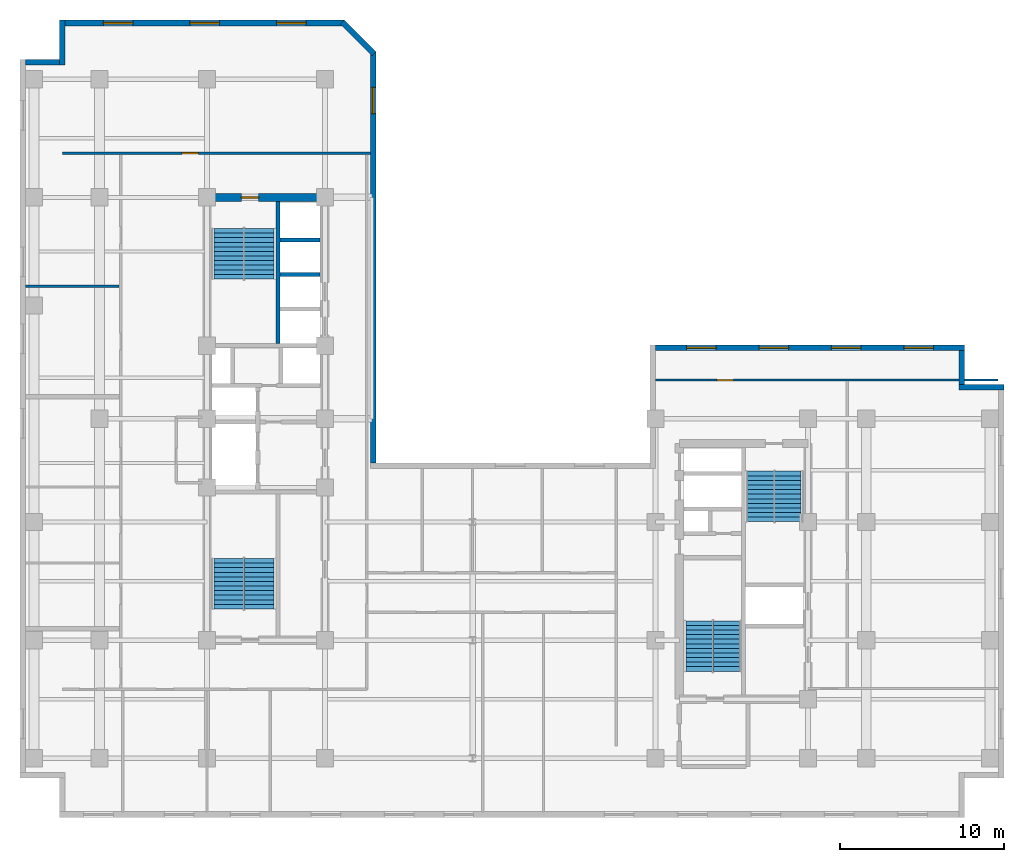
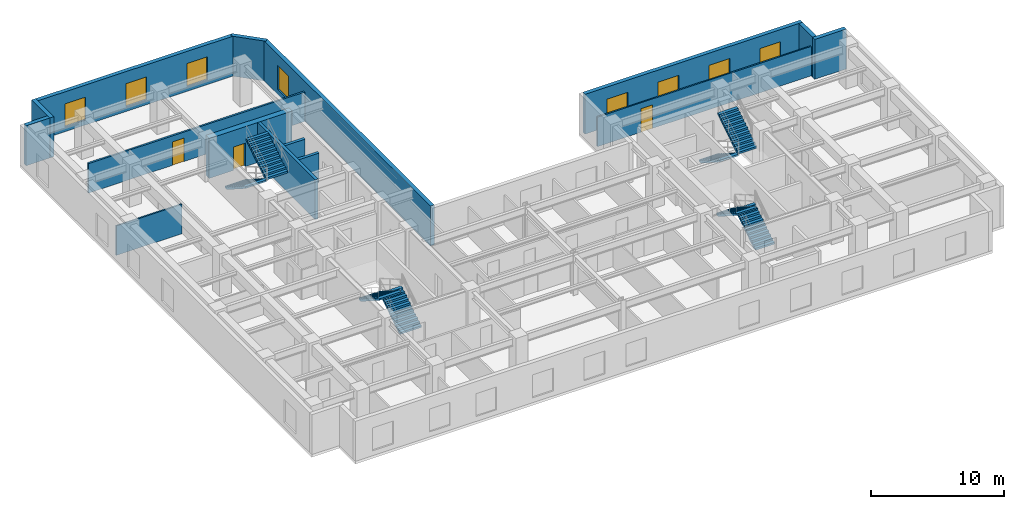
# One storey, part 6 of 9: 15 walls, 8 stair flights, 8 windows, 3 doors, 11 openings, 4 elements without a shape of their own.
"""IFC4 building model written with IfcOpenShell, lengths in metres."""

from ifc_helpers import new_model, entity, si_unit, converted_unit, direction, frame, origin_with_axes, origin_2d_with_axis, place, context, subcontext, project, spatial, polyline, rectangle, outline, extrude, material, layer, layer_set, type_object, element, fill, aggregate, save


model = new_model("IFC4")

# Units and contexts
model_context = context("Model", 3, precision=1e-05, world=origin_with_axes(), true_north=direction((0.0, 1.0)))
body_context = subcontext(model_context, "Body", "Model", "MODEL_VIEW")
ifc_project = project(units=[si_unit("LENGTHUNIT", "METRE"), si_unit("AREAUNIT", "SQUARE_METRE"), si_unit("VOLUMEUNIT", "CUBIC_METRE"), converted_unit("PLANEANGLEUNIT", "DEGREE", entity("IfcPlaneAngleMeasure", 0.017453292519943295), si_unit("PLANEANGLEUNIT", "RADIAN"), dimensions=[0, 0, 0, 0, 0, 0, 0]), si_unit("MASSUNIT", "GRAM", prefix="KILO"), si_unit("THERMODYNAMICTEMPERATUREUNIT", "KELVIN")], contexts=[model_context])

# Site, building, storey
site_placement = place(None, origin_with_axes())
site = spatial("IfcSite", under=ifc_project, at=site_placement, CompositionType="ELEMENT")
building_placement = place(site_placement, origin_with_axes())
building = spatial("IfcBuilding", under=site, at=building_placement, Name="Varnlund Millrace Tower", CompositionType="ELEMENT")
storey_placement = place(building_placement, frame((0.0, 0.0, 132.9), z_axis=(0.0, 0.0, 1.0), x_axis=(1.0, 0.0, 0.0)))
storey = spatial("IfcBuildingStorey", under=building, at=storey_placement, Name="L32", CompositionType="ELEMENT", Elevation=132.9)

# Wall, opening, door
ifc_material_1 = material(Name="Concrete C70/85", Category="concrete")
ifc_layer_1 = layer(ifc_material_1, 0.5, Name="Concrete C70/85")
ifc_layer_set_1 = layer_set([ifc_layer_1], Name="Concrete C70/85")
wall_type_1 = type_object("IfcWallType", Name="Type-CoreWall-Shear-500-C70", PredefinedType="SHEAR", material=ifc_layer_set_1)
wall_1_placement = place(storey_placement, frame((11.4, 37.8, 0.0), z_axis=(0.0, 0.0, 1.0), x_axis=(1.0, 0.0, 0.0)))
wall_1 = element("IfcWall", 1, at=wall_1_placement, inside=storey, type_object=wall_type_1, Name="Type-CoreWall-Shear-500-C70", PredefinedType="SHEAR", context=body_context, shape_type="SweptSolid", body=[
    extrude(outline(polyline([(0.0, -0.25), (7.2, -0.25), (7.2, 0.25), (0.0, 0.25), (0.0, -0.25)])), origin_with_axes(), (0.0, 0.0, 1.0), 3.66),
])
opening_1_placement = place(wall_1_placement, frame((2.625, 0.0, 0.0), z_axis=(0.0, 0.0, 1.0), x_axis=(1.0, 0.0, 0.0)))
opening_1 = element("IfcOpeningElement", 2, at=opening_1_placement, cuts=wall_1, Name="Opening L32:DR-STA2", PredefinedType="OPENING", context=body_context, shape_type="SweptSolid", body=[
    extrude(rectangle(XDim=1.05, YDim=0.52, at=origin_2d_with_axis()), origin_with_axes(), (0.0, 0.0, 1.0), 2.15),
])
ifc_material_2 = material(Name="Fire-rated hollow steel door", Category="steel")
door_type_1 = type_object("IfcDoorType", Name="Type-FireDoor-Stair-1050X2150", OperationType="NOTDEFINED", PredefinedType="DOOR", material=ifc_material_2)
door_1_placement = place(wall_1_placement, frame((2.625, 0.0, 0.0), z_axis=(0.0, 0.0, 1.0), x_axis=(1.0, 0.0, 0.0)))
door_1 = element("IfcDoor", 3, at=door_1_placement, inside=storey, type_object=door_type_1, Name="Type-FireDoor-Stair-1050X2150", OperationType="SINGLE_SWING_RIGHT", OverallHeight=2.15, OverallWidth=1.05, PredefinedType="DOOR", context=body_context, shape_type="SweptSolid", body=[
    extrude(rectangle(XDim=1.05, YDim=0.09, at=origin_2d_with_axis()), origin_with_axes(), (0.0, 0.0, 1.0), 2.15),
])
fill(opening_1, door_1)

# Wall, openings, windows
ifc_material_3 = material(Name="Precast concrete C50/60", Category="concrete")
ifc_layer_2 = layer(ifc_material_3, 0.34, Name="Precast concrete C50/60")
ifc_layer_set_2 = layer_set([ifc_layer_2], Name="Precast concrete C50/60")
wall_type_2 = type_object("IfcWallType", Name="Type-ExtWall-Precast-Upper-340", PredefinedType="SOLIDWALL", material=ifc_layer_set_2)
wall_2_placement = place(storey_placement, frame((38.74, 28.63, 0.0), z_axis=(0.0, 0.0, 1.0), x_axis=(1.0, 0.0, 0.0)))
wall_2 = element("IfcWall", 4, at=wall_2_placement, inside=storey, type_object=wall_type_2, Name="Type-ExtWall-Precast-Upper-340", PredefinedType="SOLIDWALL", context=body_context, shape_type="SweptSolid", body=[
    extrude(outline(polyline([(0.0, -0.17), (18.86, -0.17), (18.86, 0.17), (0.0, 0.17), (0.0, -0.17)])), origin_with_axes(), (0.0, 0.0, 1.0), 3.66),
])
opening_2_placement = place(wall_2_placement, frame((2.808, 0.0, 0.45), z_axis=(0.0, 0.0, 1.0), x_axis=(1.0, 0.0, 0.0)))
opening_2 = element("IfcOpeningElement", 5, at=opening_2_placement, cuts=wall_2, Name="Opening L32:WN-01", PredefinedType="OPENING", context=body_context, shape_type="SweptSolid", body=[
    extrude(rectangle(XDim=1.8, YDim=0.36, at=origin_2d_with_axis()), origin_with_axes(), (0.0, 0.0, 1.0), 2.1),
])
opening_3_placement = place(wall_2_placement, frame((7.222, 0.0, 0.45), z_axis=(0.0, 0.0, 1.0), x_axis=(1.0, 0.0, 0.0)))
opening_3 = element("IfcOpeningElement", 6, at=opening_3_placement, cuts=wall_2, Name="Opening L32:WN-02", PredefinedType="OPENING", context=body_context, shape_type="SweptSolid", body=[
    extrude(rectangle(XDim=1.8, YDim=0.36, at=origin_2d_with_axis()), origin_with_axes(), (0.0, 0.0, 1.0), 2.1),
])
opening_4_placement = place(wall_2_placement, frame((11.637, 0.0, 0.45), z_axis=(0.0, 0.0, 1.0), x_axis=(1.0, 0.0, 0.0)))
opening_4 = element("IfcOpeningElement", 7, at=opening_4_placement, cuts=wall_2, Name="Opening L32:WN-03", PredefinedType="OPENING", context=body_context, shape_type="SweptSolid", body=[
    extrude(rectangle(XDim=1.8, YDim=0.36, at=origin_2d_with_axis()), origin_with_axes(), (0.0, 0.0, 1.0), 2.1),
])
opening_5_placement = place(wall_2_placement, frame((16.053, 0.0, 0.45), z_axis=(0.0, 0.0, 1.0), x_axis=(1.0, 0.0, 0.0)))
opening_5 = element("IfcOpeningElement", 8, at=opening_5_placement, cuts=wall_2, Name="Opening L32:WN-04", PredefinedType="OPENING", context=body_context, shape_type="SweptSolid", body=[
    extrude(rectangle(XDim=1.8, YDim=0.36, at=origin_2d_with_axis()), origin_with_axes(), (0.0, 0.0, 1.0), 2.1),
])
ifc_material_4 = material(Name="Argon low-e triple glazing in thermally broken bronze frame", Category="glass")
window_type_1 = type_object("IfcWindowType", Name="Type-Window-Punched-1800X2100", PartitioningType="SINGLE_PANEL", PredefinedType="WINDOW", material=ifc_material_4)
window_1_placement = place(wall_2_placement, frame((2.808, 0.0, 0.45), z_axis=(0.0, 0.0, 1.0), x_axis=(1.0, 0.0, 0.0)))
window_1 = element("IfcWindow", 9, at=window_1_placement, inside=storey, type_object=window_type_1, Name="Type-Window-Punched-1800X2100", OverallHeight=2.1, OverallWidth=1.8, PredefinedType="WINDOW", context=body_context, shape_type="SweptSolid", body=[
    extrude(rectangle(XDim=1.8, YDim=0.09, at=origin_2d_with_axis()), origin_with_axes(), (0.0, 0.0, 1.0), 2.1),
])
fill(opening_2, window_1)
window_2_placement = place(wall_2_placement, frame((7.222, 0.0, 0.45), z_axis=(0.0, 0.0, 1.0), x_axis=(1.0, 0.0, 0.0)))
window_2 = element("IfcWindow", 10, at=window_2_placement, inside=storey, type_object=window_type_1, Name="Type-Window-Punched-1800X2100", OverallHeight=2.1, OverallWidth=1.8, PredefinedType="WINDOW", context=body_context, shape_type="SweptSolid", body=[
    extrude(rectangle(XDim=1.8, YDim=0.09, at=origin_2d_with_axis()), origin_with_axes(), (0.0, 0.0, 1.0), 2.1),
])
fill(opening_3, window_2)
window_3_placement = place(wall_2_placement, frame((11.637, 0.0, 0.45), z_axis=(0.0, 0.0, 1.0), x_axis=(1.0, 0.0, 0.0)))
window_3 = element("IfcWindow", 11, at=window_3_placement, inside=storey, type_object=window_type_1, Name="Type-Window-Punched-1800X2100", OverallHeight=2.1, OverallWidth=1.8, PredefinedType="WINDOW", context=body_context, shape_type="SweptSolid", body=[
    extrude(rectangle(XDim=1.8, YDim=0.09, at=origin_2d_with_axis()), origin_with_axes(), (0.0, 0.0, 1.0), 2.1),
])
fill(opening_4, window_3)
window_4_placement = place(wall_2_placement, frame((16.053, 0.0, 0.45), z_axis=(0.0, 0.0, 1.0), x_axis=(1.0, 0.0, 0.0)))
window_4 = element("IfcWindow", 12, at=window_4_placement, inside=storey, type_object=window_type_1, Name="Type-Window-Punched-1800X2100", OverallHeight=2.1, OverallWidth=1.8, PredefinedType="WINDOW", context=body_context, shape_type="SweptSolid", body=[
    extrude(rectangle(XDim=1.8, YDim=0.09, at=origin_2d_with_axis()), origin_with_axes(), (0.0, 0.0, 1.0), 2.1),
])
fill(opening_5, window_4)

# Walls
wall_3_placement = place(storey_placement, frame((57.43, 28.46, 0.0), z_axis=(0.0, 0.0, 1.0), x_axis=(0.0, -1.0, 0.0)))
element("IfcWall", 13, at=wall_3_placement, inside=storey, type_object=wall_type_2, Name="Type-ExtWall-Precast-Upper-340", PredefinedType="SOLIDWALL", context=body_context, shape_type="SweptSolid", body=[
    extrude(outline(polyline([(0.0, -0.17), (2.06, -0.17), (2.06, 0.17), (0.0, 0.17), (0.0, -0.17)])), origin_with_axes(), (0.0, 0.0, 1.0), 3.66),
])
wall_4_placement = place(storey_placement, frame((57.26, 26.23, 0.0), z_axis=(0.0, 0.0, 1.0), x_axis=(1.0, 0.0, 0.0)))
element("IfcWall", 14, at=wall_4_placement, inside=storey, type_object=wall_type_2, Name="Type-ExtWall-Precast-Upper-340", PredefinedType="SOLIDWALL", context=body_context, shape_type="SweptSolid", body=[
    extrude(outline(polyline([(0.0, -0.17), (2.74, -0.17), (2.74, 0.17), (0.0, 0.17), (0.0, -0.17)])), origin_with_axes(), (0.0, 0.0, 1.0), 3.66),
])
wall_5_placement = place(storey_placement, frame((0.34, 46.03, 0.0), z_axis=(0.0, 0.0, 1.0), x_axis=(1.0, 0.0, 0.0)))
element("IfcWall", 15, at=wall_5_placement, inside=storey, type_object=wall_type_2, Name="Type-ExtWall-Precast-Upper-340", PredefinedType="SOLIDWALL", context=body_context, shape_type="SweptSolid", body=[
    extrude(outline(polyline([(0.0, -0.17), (2.06, -0.17), (2.06, 0.17), (0.0, 0.17), (0.0, -0.17)])), origin_with_axes(), (0.0, 0.0, 1.0), 3.66),
])
wall_6_placement = place(storey_placement, frame((2.57, 45.86, 0.0), z_axis=(0.0, 0.0, 1.0), x_axis=(0.0, 1.0, 0.0)))
element("IfcWall", 16, at=wall_6_placement, inside=storey, type_object=wall_type_2, Name="Type-ExtWall-Precast-Upper-340", PredefinedType="SOLIDWALL", context=body_context, shape_type="SweptSolid", body=[
    extrude(outline(polyline([(0.0, -0.17), (2.74, -0.17), (2.74, 0.17), (0.0, 0.17), (0.0, -0.17)])), origin_with_axes(), (0.0, 0.0, 1.0), 3.66),
])

# Wall, openings, windows
wall_7_placement = place(storey_placement, frame((2.74, 48.43, 0.0), z_axis=(0.0, 0.0, 1.0), x_axis=(1.0, 0.0, 0.0)))
wall_7 = element("IfcWall", 17, at=wall_7_placement, inside=storey, type_object=wall_type_2, Name="Type-ExtWall-Precast-Upper-340", PredefinedType="SOLIDWALL", context=body_context, shape_type="SweptSolid", body=[
    extrude(outline(polyline([(0.0, -0.17), (17.044, -0.17), (17.044, 0.17), (0.0, 0.17), (0.0, -0.17)])), origin_with_axes(), (0.0, 0.0, 1.0), 3.66),
])
opening_6_placement = place(wall_7_placement, frame((3.241, 0.0, 0.45), z_axis=(0.0, 0.0, 1.0), x_axis=(1.0, 0.0, 0.0)))
opening_6 = element("IfcOpeningElement", 18, at=opening_6_placement, cuts=wall_7, Name="Opening L32:WN-24", PredefinedType="OPENING", context=body_context, shape_type="SweptSolid", body=[
    extrude(rectangle(XDim=1.8, YDim=0.36, at=origin_2d_with_axis()), origin_with_axes(), (0.0, 0.0, 1.0), 2.1),
])
opening_7_placement = place(wall_7_placement, frame((8.522, 0.0, 0.45), z_axis=(0.0, 0.0, 1.0), x_axis=(1.0, 0.0, 0.0)))
opening_7 = element("IfcOpeningElement", 19, at=opening_7_placement, cuts=wall_7, Name="Opening L32:WN-25", PredefinedType="OPENING", context=body_context, shape_type="SweptSolid", body=[
    extrude(rectangle(XDim=1.8, YDim=0.36, at=origin_2d_with_axis()), origin_with_axes(), (0.0, 0.0, 1.0), 2.1),
])
opening_8_placement = place(wall_7_placement, frame((13.803, 0.0, 0.45), z_axis=(0.0, 0.0, 1.0), x_axis=(1.0, 0.0, 0.0)))
opening_8 = element("IfcOpeningElement", 20, at=opening_8_placement, cuts=wall_7, Name="Opening L32:WN-26", PredefinedType="OPENING", context=body_context, shape_type="SweptSolid", body=[
    extrude(rectangle(XDim=1.8, YDim=0.36, at=origin_2d_with_axis()), origin_with_axes(), (0.0, 0.0, 1.0), 2.1),
])
window_5_placement = place(wall_7_placement, frame((3.241, 0.0, 0.45), z_axis=(0.0, 0.0, 1.0), x_axis=(1.0, 0.0, 0.0)))
window_5 = element("IfcWindow", 21, at=window_5_placement, inside=storey, type_object=window_type_1, Name="Type-Window-Punched-1800X2100", OverallHeight=2.1, OverallWidth=1.8, PredefinedType="WINDOW", context=body_context, shape_type="SweptSolid", body=[
    extrude(rectangle(XDim=1.8, YDim=0.09, at=origin_2d_with_axis()), origin_with_axes(), (0.0, 0.0, 1.0), 2.1),
])
fill(opening_6, window_5)
window_6_placement = place(wall_7_placement, frame((8.522, 0.0, 0.45), z_axis=(0.0, 0.0, 1.0), x_axis=(1.0, 0.0, 0.0)))
window_6 = element("IfcWindow", 22, at=window_6_placement, inside=storey, type_object=window_type_1, Name="Type-Window-Punched-1800X2100", OverallHeight=2.1, OverallWidth=1.8, PredefinedType="WINDOW", context=body_context, shape_type="SweptSolid", body=[
    extrude(rectangle(XDim=1.8, YDim=0.09, at=origin_2d_with_axis()), origin_with_axes(), (0.0, 0.0, 1.0), 2.1),
])
fill(opening_7, window_6)
window_7_placement = place(wall_7_placement, frame((13.803, 0.0, 0.45), z_axis=(0.0, 0.0, 1.0), x_axis=(1.0, 0.0, 0.0)))
window_7 = element("IfcWindow", 23, at=window_7_placement, inside=storey, type_object=window_type_1, Name="Type-Window-Punched-1800X2100", OverallHeight=2.1, OverallWidth=1.8, PredefinedType="WINDOW", context=body_context, shape_type="SweptSolid", body=[
    extrude(rectangle(XDim=1.8, YDim=0.09, at=origin_2d_with_axis()), origin_with_axes(), (0.0, 0.0, 1.0), 2.1),
])
fill(opening_8, window_7)

# Wall
wall_8_placement = place(storey_placement, frame((19.65, 48.494, 0.0), z_axis=(0.0, 0.0, 1.0), x_axis=(0.707107, -0.707107, 0.0)))
element("IfcWall", 24, at=wall_8_placement, inside=storey, type_object=wall_type_2, Name="Type-ExtWall-Precast-Upper-340", PredefinedType="SOLIDWALL", context=body_context, shape_type="SweptSolid", body=[
    extrude(outline(polyline([(0.0, -0.17), (2.735089, -0.17), (2.735089, 0.17), (0.0, 0.17), (0.0, -0.17)])), origin_with_axes(), (0.0, 0.0, 1.0), 3.66),
])

# Wall, opening, window
wall_9_placement = place(storey_placement, frame((21.534, 46.7, 0.0), z_axis=(0.0, 0.0, 1.0), x_axis=(0.0, -1.0, 0.0)))
wall_9 = element("IfcWall", 25, at=wall_9_placement, inside=storey, type_object=wall_type_2, Name="Type-ExtWall-Precast-Upper-340", PredefinedType="SOLIDWALL", context=body_context, shape_type="SweptSolid", body=[
    extrude(outline(polyline([(0.0, -0.17), (25.1, -0.17), (25.1, 0.17), (0.0, 0.17), (0.0, -0.17)])), origin_with_axes(), (0.0, 0.0, 1.0), 3.66),
])
opening_9_placement = place(wall_9_placement, frame((2.99, 0.0, 0.45), z_axis=(0.0, 0.0, 1.0), x_axis=(1.0, 0.0, 0.0)))
opening_9 = element("IfcOpeningElement", 26, at=opening_9_placement, cuts=wall_9, Name="Opening L32:WN-27", PredefinedType="OPENING", context=body_context, shape_type="SweptSolid", body=[
    extrude(rectangle(XDim=1.6, YDim=0.36, at=origin_2d_with_axis()), origin_with_axes(), (0.0, 0.0, 1.0), 2.2),
])
window_type_2 = type_object("IfcWindowType", Name="Type-Window-Slot-1600X2200", PartitioningType="SINGLE_PANEL", PredefinedType="WINDOW", material=ifc_material_4)
window_8_placement = place(wall_9_placement, frame((2.99, 0.0, 0.45), z_axis=(0.0, 0.0, 1.0), x_axis=(1.0, 0.0, 0.0)))
window_8 = element("IfcWindow", 27, at=window_8_placement, inside=storey, type_object=window_type_2, Name="Type-Window-Slot-1600X2200", OverallHeight=2.2, OverallWidth=1.6, PredefinedType="WINDOW", context=body_context, shape_type="SweptSolid", body=[
    extrude(rectangle(XDim=1.6, YDim=0.09, at=origin_2d_with_axis()), origin_with_axes(), (0.0, 0.0, 1.0), 2.2),
])
fill(opening_9, window_8)

# Wall, opening, door
ifc_material_5 = material(Name="Fire-rated gypsum board on cold-formed steel framing", Category="steel")
ifc_layer_3 = layer(ifc_material_5, 0.16, Name="Fire-rated gypsum board on cold-formed steel framing")
ifc_layer_set_3 = layer_set([ifc_layer_3], Name="Fire-rated gypsum board on cold-formed steel framing")
wall_type_3 = type_object("IfcWallType", Name="Type-Partition-Corridor-160", PredefinedType="PARTITIONING", material=ifc_layer_set_3)
wall_10_placement = place(storey_placement, frame((2.6, 40.5, 0.0), z_axis=(0.0, 0.0, 1.0), x_axis=(1.0, 0.0, 0.0)))
wall_10 = element("IfcWall", 28, at=wall_10_placement, inside=storey, type_object=wall_type_3, Name="Type-Partition-Corridor-160", PredefinedType="PARTITIONING", context=body_context, shape_type="SweptSolid", body=[
    extrude(outline(polyline([(0.0, -0.08), (18.769, -0.08), (18.769, 0.08), (0.0, 0.08), (0.0, -0.08)])), origin_with_axes(), (0.0, 0.0, 1.0), 2.7),
])
opening_10_placement = place(wall_10_placement, frame((7.782, 0.0, 0.0), z_axis=(0.0, 0.0, 1.0), x_axis=(1.0, 0.0, 0.0)))
opening_10 = element("IfcOpeningElement", 29, at=opening_10_placement, cuts=wall_10, Name="Opening L32:DR-WAN-01", PredefinedType="OPENING", context=body_context, shape_type="SweptSolid", body=[
    extrude(rectangle(XDim=1.0, YDim=0.18, at=origin_2d_with_axis()), origin_with_axes(), (0.0, 0.0, 1.0), 2.15),
])
ifc_material_6 = material(Name="Solid-core white oak and bronze frame door")
door_type_2 = type_object("IfcDoorType", Name="Type-IntDoor-Office-1000X2150", OperationType="NOTDEFINED", PredefinedType="DOOR", material=ifc_material_6)
door_2_placement = place(wall_10_placement, frame((7.782, 0.0, 0.0), z_axis=(0.0, 0.0, 1.0), x_axis=(1.0, 0.0, 0.0)))
door_2 = element("IfcDoor", 30, at=door_2_placement, inside=storey, type_object=door_type_2, Name="Type-IntDoor-Office-1000X2150", OperationType="SINGLE_SWING_LEFT", OverallHeight=2.15, OverallWidth=1.0, PredefinedType="DOOR", context=body_context, shape_type="SweptSolid", body=[
    extrude(rectangle(XDim=1.0, YDim=0.09, at=origin_2d_with_axis()), origin_with_axes(), (0.0, 0.0, 1.0), 2.15),
])
fill(opening_10, door_2)

# Wall
ifc_material_7 = material(Name="Gypsum board tenant partition", Category="gypsum")
ifc_layer_4 = layer(ifc_material_7, 0.125, Name="Gypsum board tenant partition")
ifc_layer_set_4 = layer_set([ifc_layer_4], Name="Gypsum board tenant partition")
wall_type_4 = type_object("IfcWallType", Name="Type-Partition-Tenant-125", PredefinedType="PARTITIONING", material=ifc_layer_set_4)
wall_11_placement = place(storey_placement, frame((0.335, 32.378, 0.0), z_axis=(0.0, 0.0, 1.0), x_axis=(1.0, 0.0, 0.0)))
element("IfcWall", 31, at=wall_11_placement, inside=storey, type_object=wall_type_4, Name="Type-Partition-Tenant-125", PredefinedType="PARTITIONING", context=body_context, shape_type="SweptSolid", body=[
    extrude(outline(polyline([(0.0, -0.0625), (5.695, -0.0625), (5.695, 0.0625), (0.0, 0.0625), (0.0, -0.0625)])), origin_with_axes(), (0.0, 0.0, 1.0), 2.7),
])

# Wall, opening, door
wall_12_placement = place(storey_placement, frame((38.735, 26.65, 0.0), z_axis=(0.0, 0.0, 1.0), x_axis=(1.0, 0.0, 0.0)))
wall_12 = element("IfcWall", 32, at=wall_12_placement, inside=storey, type_object=wall_type_4, Name="Type-Partition-Tenant-125", PredefinedType="PARTITIONING", context=body_context, shape_type="SweptSolid", body=[
    extrude(outline(polyline([(0.0, -0.0625), (20.905, -0.0625), (20.905, 0.0625), (0.0, 0.0625), (0.0, -0.0625)])), origin_with_axes(), (0.0, 0.0, 1.0), 2.7),
])
opening_11_placement = place(wall_12_placement, frame((4.265, 0.0, 0.0), z_axis=(0.0, 0.0, 1.0), x_axis=(1.0, 0.0, 0.0)))
opening_11 = element("IfcOpeningElement", 33, at=opening_11_placement, cuts=wall_12, Name="Opening L32:DR-WBN-01", PredefinedType="OPENING", context=body_context, shape_type="SweptSolid", body=[
    extrude(rectangle(XDim=1.0, YDim=0.145, at=origin_2d_with_axis()), origin_with_axes(), (0.0, 0.0, 1.0), 2.15),
])
door_3_placement = place(wall_12_placement, frame((4.265, 0.0, 0.0), z_axis=(0.0, 0.0, 1.0), x_axis=(1.0, 0.0, 0.0)))
door_3 = element("IfcDoor", 34, at=door_3_placement, inside=storey, type_object=door_type_2, Name="Type-IntDoor-Office-1000X2150", OperationType="SINGLE_SWING_RIGHT", OverallHeight=2.15, OverallWidth=1.0, PredefinedType="DOOR", context=body_context, shape_type="SweptSolid", body=[
    extrude(rectangle(XDim=1.0, YDim=0.075, at=origin_2d_with_axis()), origin_with_axes(), (0.0, 0.0, 1.0), 2.15),
])
fill(opening_11, door_3)

# Walls
ifc_material_8 = material(Name="Concrete C60/75", Category="concrete")
ifc_layer_5 = layer(ifc_material_8, 0.25, Name="Concrete C60/75")
ifc_layer_set_5 = layer_set([ifc_layer_5], Name="Concrete C60/75")
wall_type_5 = type_object("IfcWallType", Name="Type-ShaftWall-Fire-250", PredefinedType="SOLIDWALL", material=ifc_layer_set_5)
for number, where, z_axis, x_axis, name in (
    (35, (15.84, 33.1, 0.0), (0.0, 0.0, 1.0), (1.0, 0.0, 0.0), "Type-ShaftWall-Fire-250"),
    (36, (15.84, 35.2, 0.0), (0.0, 0.0, 1.0), (1.0, 0.0, 0.0), "Type-ShaftWall-Fire-250"),
):
    element("IfcWall", number, at=place(storey_placement, frame(where, z_axis=z_axis, x_axis=x_axis)), inside=storey, type_object=wall_type_5, Name=name, PredefinedType="SOLIDWALL", context=body_context, shape_type="SweptSolid", body=[
        extrude(outline(polyline([(0.0, -0.125), (2.46, -0.125), (2.46, 0.125), (0.0, 0.125), (0.0, -0.125)])), origin_with_axes(), (0.0, 0.0, 1.0), 2.7),
    ])
wall_type_6 = type_object("IfcWallType", Name="Type-StairWall-Shear-250", PredefinedType="SHEAR", material=ifc_layer_set_5)
wall_13_placement = place(storey_placement, frame((15.725, 28.9, 0.0), z_axis=(0.0, 0.0, 1.0), x_axis=(0.0, 1.0, 0.0)))
element("IfcWall", 37, at=wall_13_placement, inside=storey, type_object=wall_type_6, Name="Type-StairWall-Shear-250", PredefinedType="SHEAR", context=body_context, shape_type="SweptSolid", body=[
    extrude(outline(polyline([(0.0, -0.125), (8.65, -0.125), (8.65, 0.125), (0.0, 0.125), (0.0, -0.125)])), origin_with_axes(), (0.0, 0.0, 1.0), 3.66),
])

# Stair, stair flights
ifc_material_9 = material(Name="Concrete C50/60", Category="concrete")
stair_type_1 = type_object("IfcStairType", Name="Type-Stair-Dogleg-165-390", PredefinedType="HALF_TURN_STAIR", material=ifc_material_9)
stair_1_placement = place(storey_placement, origin_with_axes())
stair_1 = element("IfcStair", 38, at=stair_1_placement, inside=storey, type_object=stair_type_1, Name="Type-Stair-Dogleg-165-390", PredefinedType="HALF_TURN_STAIR")
stair_flight_type_1 = type_object("IfcStairFlightType", Name="Type-Dogleg-Run-165-390", PredefinedType="STRAIGHT", material=ifc_material_3)
stair_flight_1_placement = place(storey_placement, frame((42.225, 8.9, 0.0), z_axis=(1.0, 0.0, 0.0), x_axis=(0.0, 1.0, 0.0)))
stair_flight_1 = element("IfcStairFlight", 39, at=stair_flight_1_placement, type_object=stair_flight_type_1, Name="ST-B1 flight 1", NumberOfRisers=11, NumberOfTreads=11, PredefinedType="STRAIGHT", RiserHeight=0.177273, TreadLength=0.28, context=body_context, shape_type="SweptSolid", body=[
    extrude(outline(polyline([(0.0, 0.0), (0.0, 0.177273), (0.28, 0.177273), (0.28, 0.354545), (0.56, 0.354545), (0.56, 0.531818), (0.84, 0.531818), (0.84, 0.709091), (1.12, 0.709091), (1.12, 0.886364), (1.4, 0.886364), (1.4, 1.063636), (1.68, 1.063636), (1.68, 1.240909), (1.96, 1.240909), (1.96, 1.418182), (2.24, 1.418182), (2.24, 1.595454), (2.52, 1.595454), (2.52, 1.772727), (2.8, 1.772727), (2.8, 1.95), (3.08, 1.95), (3.08, 1.8), (0.28, 0.0), (0.0, 0.0)])), origin_with_axes(), (0.0, 0.0, 1.0), 1.65),
])
stair_flight_2_placement = place(storey_placement, frame((42.275, 11.98, 1.95), z_axis=(-1.0, 0.0, 0.0), x_axis=(0.0, -1.0, 0.0)))
stair_flight_2 = element("IfcStairFlight", 40, at=stair_flight_2_placement, type_object=stair_flight_type_1, Name="ST-B1 flight 2", NumberOfRisers=11, NumberOfTreads=11, PredefinedType="STRAIGHT", RiserHeight=0.177273, TreadLength=0.28, context=body_context, shape_type="SweptSolid", body=[
    extrude(outline(polyline([(0.0, 0.0), (0.0, 0.177273), (0.28, 0.177273), (0.28, 0.354545), (0.56, 0.354545), (0.56, 0.531818), (0.84, 0.531818), (0.84, 0.709091), (1.12, 0.709091), (1.12, 0.886364), (1.4, 0.886364), (1.4, 1.063636), (1.68, 1.063636), (1.68, 1.240909), (1.96, 1.240909), (1.96, 1.418182), (2.24, 1.418182), (2.24, 1.595454), (2.52, 1.595454), (2.52, 1.772727), (2.8, 1.772727), (2.8, 1.95), (3.08, 1.95), (3.08, 1.8), (0.28, 0.0), (0.0, 0.0)])), origin_with_axes(), (0.0, 0.0, 1.0), 1.65),
])
aggregate(stair_1, [stair_flight_1, stair_flight_2])

stair_2_placement = place(storey_placement, origin_with_axes())
stair_2 = element("IfcStair", 41, at=stair_2_placement, inside=storey, type_object=stair_type_1, Name="Type-Stair-Dogleg-165-390", PredefinedType="HALF_TURN_STAIR")
stair_flight_3_placement = place(storey_placement, frame((46.025, 21.1, 0.0), z_axis=(-1.0, 0.0, 0.0), x_axis=(0.0, -1.0, 0.0)))
stair_flight_3 = element("IfcStairFlight", 42, at=stair_flight_3_placement, type_object=stair_flight_type_1, Name="ST-B2 flight 1", NumberOfRisers=11, NumberOfTreads=11, PredefinedType="STRAIGHT", RiserHeight=0.177273, TreadLength=0.28, context=body_context, shape_type="SweptSolid", body=[
    extrude(outline(polyline([(0.0, 0.0), (0.0, 0.177273), (0.28, 0.177273), (0.28, 0.354545), (0.56, 0.354545), (0.56, 0.531818), (0.84, 0.531818), (0.84, 0.709091), (1.12, 0.709091), (1.12, 0.886364), (1.4, 0.886364), (1.4, 1.063636), (1.68, 1.063636), (1.68, 1.240909), (1.96, 1.240909), (1.96, 1.418182), (2.24, 1.418182), (2.24, 1.595454), (2.52, 1.595454), (2.52, 1.772727), (2.8, 1.772727), (2.8, 1.95), (3.08, 1.95), (3.08, 1.8), (0.28, 0.0), (0.0, 0.0)])), origin_with_axes(), (0.0, 0.0, 1.0), 1.65),
])
stair_flight_4_placement = place(storey_placement, frame((45.975, 18.02, 1.95), z_axis=(1.0, 0.0, 0.0), x_axis=(0.0, 1.0, 0.0)))
stair_flight_4 = element("IfcStairFlight", 43, at=stair_flight_4_placement, type_object=stair_flight_type_1, Name="ST-B2 flight 2", NumberOfRisers=11, NumberOfTreads=11, PredefinedType="STRAIGHT", RiserHeight=0.177273, TreadLength=0.28, context=body_context, shape_type="SweptSolid", body=[
    extrude(outline(polyline([(0.0, 0.0), (0.0, 0.177273), (0.28, 0.177273), (0.28, 0.354545), (0.56, 0.354545), (0.56, 0.531818), (0.84, 0.531818), (0.84, 0.709091), (1.12, 0.709091), (1.12, 0.886364), (1.4, 0.886364), (1.4, 1.063636), (1.68, 1.063636), (1.68, 1.240909), (1.96, 1.240909), (1.96, 1.418182), (2.24, 1.418182), (2.24, 1.595454), (2.52, 1.595454), (2.52, 1.772727), (2.8, 1.772727), (2.8, 1.95), (3.08, 1.95), (3.08, 1.8), (0.28, 0.0), (0.0, 0.0)])), origin_with_axes(), (0.0, 0.0, 1.0), 1.65),
])
aggregate(stair_2, [stair_flight_3, stair_flight_4])

stair_type_2 = type_object("IfcStairType", Name="Type-Stair-Dogleg-185-390", PredefinedType="HALF_TURN_STAIR", material=ifc_material_9)
stair_3_placement = place(storey_placement, origin_with_axes())
stair_3 = element("IfcStair", 44, at=stair_3_placement, inside=storey, type_object=stair_type_2, Name="Type-Stair-Dogleg-185-390", PredefinedType="HALF_TURN_STAIR")
stair_flight_type_2 = type_object("IfcStairFlightType", Name="Type-Dogleg-Run-185-390", PredefinedType="STRAIGHT", material=ifc_material_3)
stair_flight_5_placement = place(storey_placement, frame((13.625, 12.7, 0.0), z_axis=(1.0, 0.0, 0.0), x_axis=(0.0, 1.0, 0.0)))
stair_flight_5 = element("IfcStairFlight", 45, at=stair_flight_5_placement, type_object=stair_flight_type_2, Name="ST-A1 flight 1", NumberOfRisers=11, NumberOfTreads=11, PredefinedType="STRAIGHT", RiserHeight=0.177273, TreadLength=0.28, context=body_context, shape_type="SweptSolid", body=[
    extrude(outline(polyline([(0.0, 0.0), (0.0, 0.177273), (0.28, 0.177273), (0.28, 0.354545), (0.56, 0.354545), (0.56, 0.531818), (0.84, 0.531818), (0.84, 0.709091), (1.12, 0.709091), (1.12, 0.886364), (1.4, 0.886364), (1.4, 1.063636), (1.68, 1.063636), (1.68, 1.240909), (1.96, 1.240909), (1.96, 1.418182), (2.24, 1.418182), (2.24, 1.595454), (2.52, 1.595454), (2.52, 1.772727), (2.8, 1.772727), (2.8, 1.95), (3.08, 1.95), (3.08, 1.8), (0.28, 0.0), (0.0, 0.0)])), origin_with_axes(), (0.0, 0.0, 1.0), 1.85),
])
stair_flight_6_placement = place(storey_placement, frame((13.675, 15.78, 1.95), z_axis=(-1.0, 0.0, 0.0), x_axis=(0.0, -1.0, 0.0)))
stair_flight_6 = element("IfcStairFlight", 46, at=stair_flight_6_placement, type_object=stair_flight_type_2, Name="ST-A1 flight 2", NumberOfRisers=11, NumberOfTreads=11, PredefinedType="STRAIGHT", RiserHeight=0.177273, TreadLength=0.28, context=body_context, shape_type="SweptSolid", body=[
    extrude(outline(polyline([(0.0, 0.0), (0.0, 0.177273), (0.28, 0.177273), (0.28, 0.354545), (0.56, 0.354545), (0.56, 0.531818), (0.84, 0.531818), (0.84, 0.709091), (1.12, 0.709091), (1.12, 0.886364), (1.4, 0.886364), (1.4, 1.063636), (1.68, 1.063636), (1.68, 1.240909), (1.96, 1.240909), (1.96, 1.418182), (2.24, 1.418182), (2.24, 1.595454), (2.52, 1.595454), (2.52, 1.772727), (2.8, 1.772727), (2.8, 1.95), (3.08, 1.95), (3.08, 1.8), (0.28, 0.0), (0.0, 0.0)])), origin_with_axes(), (0.0, 0.0, 1.0), 1.85),
])
aggregate(stair_3, [stair_flight_5, stair_flight_6])

stair_4_placement = place(storey_placement, origin_with_axes())
stair_4 = element("IfcStair", 47, at=stair_4_placement, inside=storey, type_object=stair_type_2, Name="Type-Stair-Dogleg-185-390", PredefinedType="HALF_TURN_STAIR")
stair_flight_7_placement = place(storey_placement, frame((13.675, 35.9, 0.0), z_axis=(-1.0, 0.0, 0.0), x_axis=(0.0, -1.0, 0.0)))
stair_flight_7 = element("IfcStairFlight", 48, at=stair_flight_7_placement, type_object=stair_flight_type_2, Name="ST-A2 flight 1", NumberOfRisers=11, NumberOfTreads=11, PredefinedType="STRAIGHT", RiserHeight=0.177273, TreadLength=0.28, context=body_context, shape_type="SweptSolid", body=[
    extrude(outline(polyline([(0.0, 0.0), (0.0, 0.177273), (0.28, 0.177273), (0.28, 0.354545), (0.56, 0.354545), (0.56, 0.531818), (0.84, 0.531818), (0.84, 0.709091), (1.12, 0.709091), (1.12, 0.886364), (1.4, 0.886364), (1.4, 1.063636), (1.68, 1.063636), (1.68, 1.240909), (1.96, 1.240909), (1.96, 1.418182), (2.24, 1.418182), (2.24, 1.595454), (2.52, 1.595454), (2.52, 1.772727), (2.8, 1.772727), (2.8, 1.95), (3.08, 1.95), (3.08, 1.8), (0.28, 0.0), (0.0, 0.0)])), origin_with_axes(), (0.0, 0.0, 1.0), 1.85),
])
stair_flight_8_placement = place(storey_placement, frame((13.625, 32.82, 1.95), z_axis=(1.0, 0.0, 0.0), x_axis=(0.0, 1.0, 0.0)))
stair_flight_8 = element("IfcStairFlight", 49, at=stair_flight_8_placement, type_object=stair_flight_type_2, Name="ST-A2 flight 2", NumberOfRisers=11, NumberOfTreads=11, PredefinedType="STRAIGHT", RiserHeight=0.177273, TreadLength=0.28, context=body_context, shape_type="SweptSolid", body=[
    extrude(outline(polyline([(0.0, 0.0), (0.0, 0.177273), (0.28, 0.177273), (0.28, 0.354545), (0.56, 0.354545), (0.56, 0.531818), (0.84, 0.531818), (0.84, 0.709091), (1.12, 0.709091), (1.12, 0.886364), (1.4, 0.886364), (1.4, 1.063636), (1.68, 1.063636), (1.68, 1.240909), (1.96, 1.240909), (1.96, 1.418182), (2.24, 1.418182), (2.24, 1.595454), (2.52, 1.595454), (2.52, 1.772727), (2.8, 1.772727), (2.8, 1.95), (3.08, 1.95), (3.08, 1.8), (0.28, 0.0), (0.0, 0.0)])), origin_with_axes(), (0.0, 0.0, 1.0), 1.85),
])
aggregate(stair_4, [stair_flight_7, stair_flight_8])

save(model, "model.ifc")
